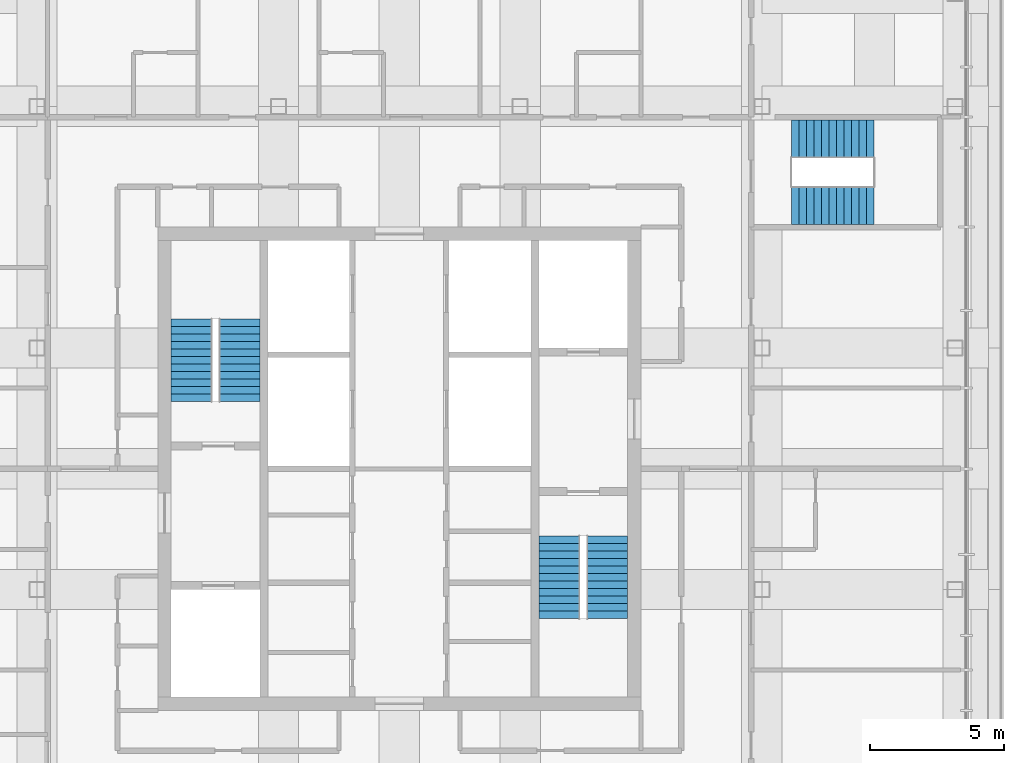
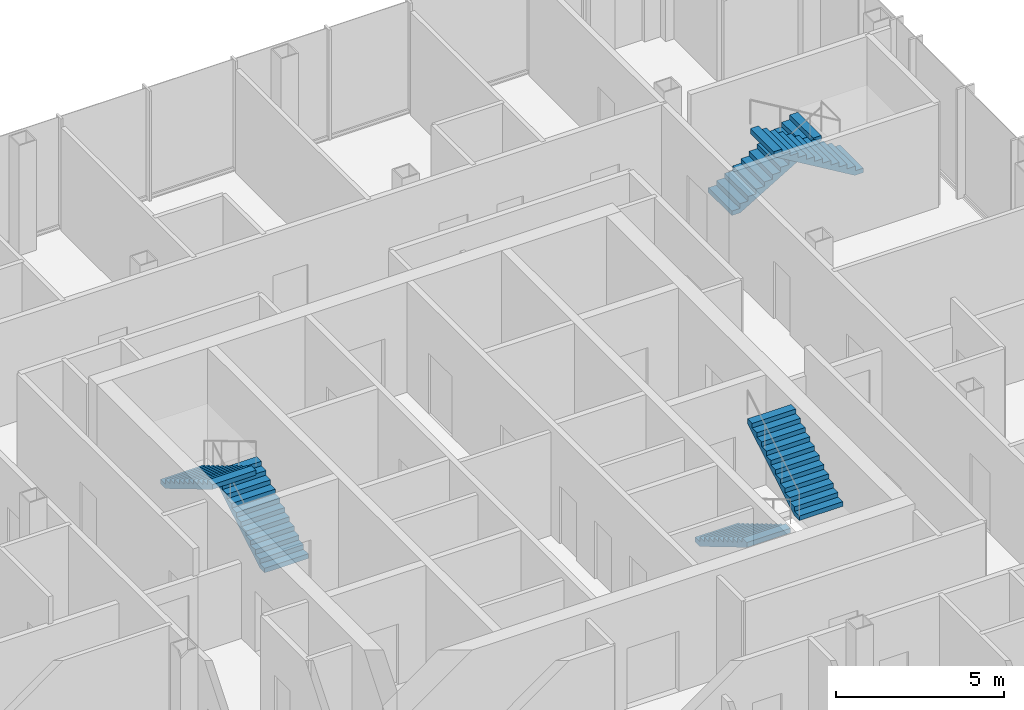
# One storey, part 16 of 19: 6 stair flights, 3 elements without a shape of their own.
"""IFC4 building model written with IfcOpenShell, lengths in metres."""

import ifcopenshell
import ifcopenshell.guid

model = None  # the IFC model being written
_history = None  # IfcOwnerHistory: only IFC2X3 demands one
_inside = {}  # id of a spatial element -> (the spatial element, [elements in it])
_under = {}  # id of a project, library or spatial element -> (it, [spatial elements below it])
_declared = {}  # id of a project -> (the project, [libraries it declares])
_typed = {}  # id of a type object -> (the type object, [elements of that type])
_made_of = {}  # id of a material, layer set ... -> (it, [elements and type objects made of it])


def new_model(schema):
    """Start an empty IFC model of exactly this schema.

    Asked for "IFC4X3", IfcOpenShell would pick the latest addendum, in which some entities
    have other attributes; the version numbers below select the first issue.
    IFC2X3 requires an IfcOwnerHistory on every rooted entity: one is made here for all.
    """
    global model, _history
    if schema == "IFC4X3":
        model = ifcopenshell.file(schema_version=(4, 3, 0, 0))
    else:
        model = ifcopenshell.file(schema=schema)
    _inside.clear()
    _under.clear()
    _declared.clear()
    _typed.clear()
    _made_of.clear()
    _history = None
    if model.schema == "IFC2X3":
        org = make("IfcOrganization", Name="unknown")
        user = make(
            "IfcPersonAndOrganization",
            ThePerson=make("IfcPerson", FamilyName="unknown"),
            TheOrganization=org,
        )
        app = make(
            "IfcApplication",
            ApplicationDeveloper=org,
            Version="unknown",
            ApplicationFullName="unknown",
            ApplicationIdentifier="unknown",
        )
        _history = make(
            "IfcOwnerHistory",
            OwningUser=user,
            OwningApplication=app,
            ChangeAction="ADDED",
            CreationDate=0,
        )
    return model


def make(cls, **values):
    """One entity of the class cls with the attributes given. An attribute that is None is left unset."""
    return model.create_entity(
        cls, **{name: value for name, value in values.items() if value is not None}
    )


def rooted(cls, **values):
    """An entity with a GlobalId (a new one), such as an element, a storey or a relation."""
    return make(cls, GlobalId=ifcopenshell.guid.new(), OwnerHistory=_history, **values)


def si_unit(unit_type, name, prefix=None):
    """IfcSIUnit, for example si_unit("LENGTHUNIT", "METRE", prefix="MILLI")."""
    return make("IfcSIUnit", UnitType=unit_type, Prefix=prefix, Name=name)


def assignment(units):
    """IfcUnitAssignment: the units of a project."""
    return None if units is None else make("IfcUnitAssignment", Units=units)


def point(xyz):
    """IfcCartesianPoint."""
    return None if xyz is None else make("IfcCartesianPoint", Coordinates=xyz)


def direction(xyz):
    """IfcDirection."""
    return None if xyz is None else make("IfcDirection", DirectionRatios=xyz)


def frame(location, z_axis=None, x_axis=None):
    """IfcAxis2Placement3D, a coordinate frame: its origin and axes. An axis left out is left unset."""
    return make(
        "IfcAxis2Placement3D",
        Location=point(location),
        Axis=direction(z_axis),
        RefDirection=direction(x_axis),
    )


def origin():
    """The frame at (0, 0, 0) with its axes left unset."""
    return frame((0.0, 0.0, 0.0))


def place(relative_to, where):
    """IfcLocalPlacement: puts the frame where relative to a parent placement (None: the world)."""
    return make(
        "IfcLocalPlacement", PlacementRelTo=relative_to, RelativePlacement=where
    )


def context(
    kind, dimensions, precision=None, world=None, true_north=None, identifier=None
):
    """IfcGeometricRepresentationContext, for example the 3D "Model" context."""
    return make(
        "IfcGeometricRepresentationContext",
        ContextIdentifier=identifier,
        ContextType=kind,
        CoordinateSpaceDimension=dimensions,
        Precision=precision,
        WorldCoordinateSystem=world,
        TrueNorth=true_north,
    )


def subcontext(parent, identifier, kind, view, scale=None):
    """IfcGeometricRepresentationSubContext, for example "Body" below "Model"."""
    return make(
        "IfcGeometricRepresentationSubContext",
        ContextIdentifier=identifier,
        ContextType=kind,
        ParentContext=parent,
        TargetScale=scale,
        TargetView=view,
    )


def project(units=None, contexts=None):
    """IfcProject with its units and contexts."""
    return rooted(
        "IfcProject",
        Name="project",
        RepresentationContexts=contexts,
        UnitsInContext=assignment(units),
    )


def spatial(cls, under=None, at=None, **own):
    """A site, building, storey or space (cls), placed at a placement, below another one or the project."""
    s = rooted(cls, ObjectPlacement=at, **own)
    if under is not None:
        _under.setdefault(under.id(), (under, []))[1].append(s)
    return s


def polyline(points):
    """IfcPolyline through the points."""
    return make("IfcPolyline", Points=[point(p) for p in points])


def outline(outer, holes=None, kind="AREA"):
    """IfcArbitraryClosedProfileDef: a profile drawn as a closed curve; with holes, ...WithVoids."""
    if holes is None:
        return make("IfcArbitraryClosedProfileDef", ProfileType=kind, OuterCurve=outer)
    return make(
        "IfcArbitraryProfileDefWithVoids",
        ProfileType=kind,
        OuterCurve=outer,
        InnerCurves=holes,
    )


def extrude(swept, where, along, depth):
    """IfcExtrudedAreaSolid: the profile swept, set in the frame where, extruded along a direction by depth."""
    return make(
        "IfcExtrudedAreaSolid",
        SweptArea=swept,
        Position=where,
        ExtrudedDirection=direction(along),
        Depth=depth,
    )


def shape(context_of_items, identifier, shape_type, items):
    """IfcShapeRepresentation: the items that make up one representation, for example the "Body"."""
    return make(
        "IfcShapeRepresentation",
        ContextOfItems=context_of_items,
        RepresentationIdentifier=identifier,
        RepresentationType=shape_type,
        Items=items,
    )


def material(Name=None, Category=None):
    """IfcMaterial."""
    return make("IfcMaterial", Name=Name, Category=Category)


def made_of(thing, what):
    """Note that an element or type object is made of a material, layer set ...; save() writes the relation."""
    if what is not None:
        _made_of.setdefault(what.id(), (what, []))[1].append(thing)
    return thing


def type_object(cls, material=None, **own):
    """A type object (cls), such as IfcWallType, which elements share."""
    return made_of(rooted(cls, **own), material)


def element(
    cls,
    number,
    at=None,
    inside=None,
    cuts=None,
    type_object=None,
    material=None,
    context=None,
    identifier="Body",
    shape_type=None,
    held_by="IfcProductDefinitionShape",
    body=None,
    shapes=None,
    **own,
):
    """One element of the class cls, such as IfcWall. Its Tag is "e" and its number.

    at: its placement. inside: the storey or other place that contains it. cuts: it is an
    opening in that element (IfcRelVoidsElement). A single representation is given by context,
    identifier, shape_type and body (its items); several are given by shapes. held_by: the class
    of the entity that holds the representations. save() writes the other relations.
    """
    e = rooted(cls, Tag="e%d" % number, ObjectPlacement=at, **own)
    if body is not None:
        shapes = [shape(context, identifier, shape_type, body)]
    if shapes is not None:
        e.Representation = make(held_by, Representations=shapes)
    if inside is not None:
        _inside.setdefault(inside.id(), (inside, []))[1].append(e)
    if cuts is not None:
        rooted(
            "IfcRelVoidsElement", RelatingBuildingElement=cuts, RelatedOpeningElement=e
        )
    if type_object is not None:
        _typed.setdefault(type_object.id(), (type_object, []))[1].append(e)
    return made_of(e, material)


def aggregate(whole, parts):
    """IfcRelAggregates: a whole, such as a stair, and the parts it consists of."""
    return rooted("IfcRelAggregates", RelatingObject=whole, RelatedObjects=parts)


def save(model, path):
    """Write the relations noted so far, then the file.

    IfcRelAggregates (storeys below a building ...), IfcRelContainedInSpatialStructure (elements
    in a storey), IfcRelDefinesByType, IfcRelAssociatesMaterial and IfcRelDeclares: one each for
    every whole, place, type object, material and project.
    """
    for whole, parts in _under.values():
        aggregate(whole, parts)
    for where, things in _inside.values():
        rooted(
            "IfcRelContainedInSpatialStructure",
            RelatedElements=things,
            RelatingStructure=where,
        )
    for kind, things in _typed.values():
        rooted("IfcRelDefinesByType", RelatedObjects=things, RelatingType=kind)
    for what, things in _made_of.values():
        rooted("IfcRelAssociatesMaterial", RelatedObjects=things, RelatingMaterial=what)
    for by, libraries in _declared.values():
        rooted("IfcRelDeclares", RelatingContext=by, RelatedDefinitions=libraries)
    model.write(path)


model = new_model("IFC4")

# Units and contexts
model_context = context("Model", 3, precision=1e-05, world=origin(), true_north=direction((0.0, 1.0)))
body_context = subcontext(model_context, "Body", "Model", "MODEL_VIEW")
ifc_project = project(units=[si_unit("LENGTHUNIT", "METRE"), si_unit("AREAUNIT", "SQUARE_METRE"), si_unit("VOLUMEUNIT", "CUBIC_METRE"), si_unit("PLANEANGLEUNIT", "RADIAN"), si_unit("MASSUNIT", "GRAM", prefix="KILO")], contexts=[model_context])

# Site, building, storey
site_placement = place(None, origin())
site = spatial("IfcSite", under=ifc_project, at=site_placement, CompositionType="ELEMENT")
building_placement = place(site_placement, origin())
building = spatial("IfcBuilding", under=site, at=building_placement, Name="Malebo Sky Hospital", CompositionType="ELEMENT")
storey_placement = place(building_placement, frame((0.0, 0.0, 250.0)))
storey = spatial("IfcBuildingStorey", under=building, at=storey_placement, Name="L60", CompositionType="ELEMENT", Elevation=250.0)

# Stair, stair flights
ifc_material = material(Name="Concrete C40/50", Category="concrete")
stair_type_1 = type_object("IfcStairType", Name="HALF-TURN STAIR 1400 R167", PredefinedType="HALF_TURN_STAIR", material=ifc_material)
stair_1_placement = place(storey_placement, origin())
stair_1 = element("IfcStair", 1, at=stair_1_placement, inside=storey, type_object=stair_type_1, Name="Stair S3 L60 type ST1B", PredefinedType="HALF_TURN_STAIR")
stair_flight_type_1 = type_object("IfcStairFlightType", Name="STAIR FLIGHT 1400 R167", PredefinedType="STRAIGHT", material=ifc_material)
stair_flight_1_placement = place(storey_placement, frame((74.60009765625, 74.300048828125, 0.0), z_axis=(0.0, 0.0, 1.0), x_axis=(1.0, 0.0, 0.0)))
stair_flight_1 = element("IfcStairFlight", 2, at=stair_flight_1_placement, type_object=stair_flight_type_1, Name="S3 flight 1 type SF1B", NumberOfRisers=12, NumberOfTreads=11, PredefinedType="STRAIGHT", RiserHeight=0.166666667, TreadLength=0.28, context=body_context, shape_type="SweptSolid", body=[
    extrude(outline(polyline([(0.0, 0.0), (0.0, 0.166748046875), (0.280029296875, 0.166748046875), (0.280029296875, 0.333251953125), (0.56005859375, 0.333251953125), (0.56005859375, 0.5), (0.840087890625, 0.5), (0.840087890625, 0.666748046875), (1.1201171875, 0.666748046875), (1.1201171875, 0.833251953125), (1.39990234375, 0.833251953125), (1.39990234375, 1.0), (1.679931640625, 1.0), (1.679931640625, 1.166748046875), (1.9599609375, 1.166748046875), (1.9599609375, 1.333251953125), (2.239990234375, 1.333251953125), (2.239990234375, 1.5), (2.52001953125, 1.5), (2.52001953125, 1.666748046875), (2.800048828125, 1.666748046875), (2.800048828125, 1.833251953125), (3.080078125, 1.833251953125), (3.080078125, 2.0), (3.080078125, 1.658935546875), (0.29296875, 0.0), (0.0, 0.0)])), frame((0.0, 0.699951171875, 0.0), z_axis=(0.0, -1.0, 0.0), x_axis=(1.0, 0.0, 0.0)), (0.0, 0.0, 1.0), 1.39990234375),
])
stair_flight_2_placement = place(storey_placement, frame((77.679931640625, 71.800048828125, 2.0), z_axis=(0.0, 0.0, 1.0), x_axis=(-1.0, 0.0, 0.0)))
stair_flight_2 = element("IfcStairFlight", 3, at=stair_flight_2_placement, type_object=stair_flight_type_1, Name="S3 flight 2 type SF1B", NumberOfRisers=12, NumberOfTreads=11, PredefinedType="STRAIGHT", RiserHeight=0.166666667, TreadLength=0.28, context=body_context, shape_type="SweptSolid", body=[
    extrude(outline(polyline([(0.0, 0.0), (0.0, 0.166748046875), (0.280029296875, 0.166748046875), (0.280029296875, 0.333251953125), (0.56005859375, 0.333251953125), (0.56005859375, 0.5), (0.840087890625, 0.5), (0.840087890625, 0.666748046875), (1.1201171875, 0.666748046875), (1.1201171875, 0.833251953125), (1.39990234375, 0.833251953125), (1.39990234375, 1.0), (1.679931640625, 1.0), (1.679931640625, 1.166748046875), (1.9599609375, 1.166748046875), (1.9599609375, 1.333251953125), (2.239990234375, 1.333251953125), (2.239990234375, 1.5), (2.52001953125, 1.5), (2.52001953125, 1.666748046875), (2.800048828125, 1.666748046875), (2.800048828125, 1.833251953125), (3.080078125, 1.833251953125), (3.080078125, 2.0), (3.080078125, 1.658935546875), (0.29296875, 0.0), (0.0, 0.0)])), frame((0.0, 0.699951171875, 0.0), z_axis=(0.0, -1.0, 0.0), x_axis=(1.0, 0.0, 0.0)), (0.0, 0.0, 1.0), 1.39990234375),
])
aggregate(stair_1, [stair_flight_1, stair_flight_2])

stair_type_2 = type_object("IfcStairType", Name="HALF-TURN STAIR 1500 R167", PredefinedType="HALF_TURN_STAIR", material=ifc_material)
stair_2_placement = place(storey_placement, origin())
stair_2 = element("IfcStair", 4, at=stair_2_placement, inside=storey, type_object=stair_type_2, Name="Stair S1 L60 type ST1", PredefinedType="HALF_TURN_STAIR")
stair_flight_type_2 = type_object("IfcStairFlightType", Name="STAIR FLIGHT 1500 R167", PredefinedType="STRAIGHT", material=ifc_material)
stair_flight_3_placement = place(storey_placement, frame((54.050048828125, 64.5, 0.0), z_axis=(0.0, 0.0, 1.0), x_axis=(0.0, 1.0, 0.0)))
stair_flight_3 = element("IfcStairFlight", 5, at=stair_flight_3_placement, type_object=stair_flight_type_2, Name="S1 flight 1 type SF1", NumberOfRisers=12, NumberOfTreads=11, PredefinedType="STRAIGHT", RiserHeight=0.166666667, TreadLength=0.28, context=body_context, shape_type="SweptSolid", body=[
    extrude(outline(polyline([(0.0, 0.0), (0.0, 0.166748046875), (0.280029296875, 0.166748046875), (0.280029296875, 0.333251953125), (0.56005859375, 0.333251953125), (0.56005859375, 0.5), (0.840087890625, 0.5), (0.840087890625, 0.666748046875), (1.1201171875, 0.666748046875), (1.1201171875, 0.833251953125), (1.39990234375, 0.833251953125), (1.39990234375, 1.0), (1.679931640625, 1.0), (1.679931640625, 1.166748046875), (1.9599609375, 1.166748046875), (1.9599609375, 1.333251953125), (2.239990234375, 1.333251953125), (2.239990234375, 1.5), (2.52001953125, 1.5), (2.52001953125, 1.666748046875), (2.800048828125, 1.666748046875), (2.800048828125, 1.833251953125), (3.080078125, 1.833251953125), (3.080078125, 2.0), (3.080078125, 1.658935546875), (0.29296875, 0.0), (0.0, 0.0)])), frame((0.0, 0.75, 0.0), z_axis=(0.0, -1.0, 0.0), x_axis=(1.0, 0.0, 0.0)), (0.0, 0.0, 1.0), 1.5),
])
stair_flight_4_placement = place(storey_placement, frame((52.25, 67.580078125, 2.0), z_axis=(0.0, 0.0, 1.0), x_axis=(0.0, -1.0, 0.0)))
stair_flight_4 = element("IfcStairFlight", 6, at=stair_flight_4_placement, type_object=stair_flight_type_2, Name="S1 flight 2 type SF1", NumberOfRisers=12, NumberOfTreads=11, PredefinedType="STRAIGHT", RiserHeight=0.166666667, TreadLength=0.28, context=body_context, shape_type="SweptSolid", body=[
    extrude(outline(polyline([(0.0, 0.0), (0.0, 0.166748046875), (0.280029296875, 0.166748046875), (0.280029296875, 0.333251953125), (0.56005859375, 0.333251953125), (0.56005859375, 0.5), (0.840087890625, 0.5), (0.840087890625, 0.666748046875), (1.1201171875, 0.666748046875), (1.1201171875, 0.833251953125), (1.39990234375, 0.833251953125), (1.39990234375, 1.0), (1.679931640625, 1.0), (1.679931640625, 1.166748046875), (1.9599609375, 1.166748046875), (1.9599609375, 1.333251953125), (2.239990234375, 1.333251953125), (2.239990234375, 1.5), (2.52001953125, 1.5), (2.52001953125, 1.666748046875), (2.800048828125, 1.666748046875), (2.800048828125, 1.833251953125), (3.080078125, 1.833251953125), (3.080078125, 2.0), (3.080078125, 1.658935546875), (0.29296875, 0.0), (0.0, 0.0)])), frame((0.0, 0.75, 0.0), z_axis=(0.0, -1.0, 0.0), x_axis=(1.0, 0.0, 0.0)), (0.0, 0.0, 1.0), 1.5),
])
aggregate(stair_2, [stair_flight_3, stair_flight_4])

stair_3_placement = place(storey_placement, origin())
stair_3 = element("IfcStair", 7, at=stair_3_placement, inside=storey, type_object=stair_type_2, Name="Stair S2 L60 type ST1", PredefinedType="HALF_TURN_STAIR")
stair_flight_5_placement = place(storey_placement, frame((65.949951171875, 59.5, 0.0), z_axis=(0.0, 0.0, 1.0), x_axis=(0.0, -1.0, 0.0)))
stair_flight_5 = element("IfcStairFlight", 8, at=stair_flight_5_placement, type_object=stair_flight_type_2, Name="S2 flight 1 type SF1", NumberOfRisers=12, NumberOfTreads=11, PredefinedType="STRAIGHT", RiserHeight=0.166666667, TreadLength=0.28, context=body_context, shape_type="SweptSolid", body=[
    extrude(outline(polyline([(0.0, 0.0), (0.0, 0.166748046875), (0.280029296875, 0.166748046875), (0.280029296875, 0.333251953125), (0.56005859375, 0.333251953125), (0.56005859375, 0.5), (0.840087890625, 0.5), (0.840087890625, 0.666748046875), (1.1201171875, 0.666748046875), (1.1201171875, 0.833251953125), (1.39990234375, 0.833251953125), (1.39990234375, 1.0), (1.679931640625, 1.0), (1.679931640625, 1.166748046875), (1.9599609375, 1.166748046875), (1.9599609375, 1.333251953125), (2.239990234375, 1.333251953125), (2.239990234375, 1.5), (2.52001953125, 1.5), (2.52001953125, 1.666748046875), (2.800048828125, 1.666748046875), (2.800048828125, 1.833251953125), (3.080078125, 1.833251953125), (3.080078125, 2.0), (3.080078125, 1.658935546875), (0.29296875, 0.0), (0.0, 0.0)])), frame((0.0, 0.75, 0.0), z_axis=(0.0, -1.0, 0.0), x_axis=(1.0, 0.0, 0.0)), (0.0, 0.0, 1.0), 1.5),
])
stair_flight_6_placement = place(storey_placement, frame((67.75, 56.419921875, 2.0), z_axis=(0.0, 0.0, 1.0), x_axis=(0.0, 1.0, 0.0)))
stair_flight_6 = element("IfcStairFlight", 9, at=stair_flight_6_placement, type_object=stair_flight_type_2, Name="S2 flight 2 type SF1", NumberOfRisers=12, NumberOfTreads=11, PredefinedType="STRAIGHT", RiserHeight=0.166666667, TreadLength=0.28, context=body_context, shape_type="SweptSolid", body=[
    extrude(outline(polyline([(0.0, 0.0), (0.0, 0.166748046875), (0.280029296875, 0.166748046875), (0.280029296875, 0.333251953125), (0.56005859375, 0.333251953125), (0.56005859375, 0.5), (0.840087890625, 0.5), (0.840087890625, 0.666748046875), (1.1201171875, 0.666748046875), (1.1201171875, 0.833251953125), (1.39990234375, 0.833251953125), (1.39990234375, 1.0), (1.679931640625, 1.0), (1.679931640625, 1.166748046875), (1.9599609375, 1.166748046875), (1.9599609375, 1.333251953125), (2.239990234375, 1.333251953125), (2.239990234375, 1.5), (2.52001953125, 1.5), (2.52001953125, 1.666748046875), (2.800048828125, 1.666748046875), (2.800048828125, 1.833251953125), (3.080078125, 1.833251953125), (3.080078125, 2.0), (3.080078125, 1.658935546875), (0.29296875, 0.0), (0.0, 0.0)])), frame((0.0, 0.75, 0.0), z_axis=(0.0, -1.0, 0.0), x_axis=(1.0, 0.0, 0.0)), (0.0, 0.0, 1.0), 1.5),
])
aggregate(stair_3, [stair_flight_5, stair_flight_6])

save(model, "model.ifc")
